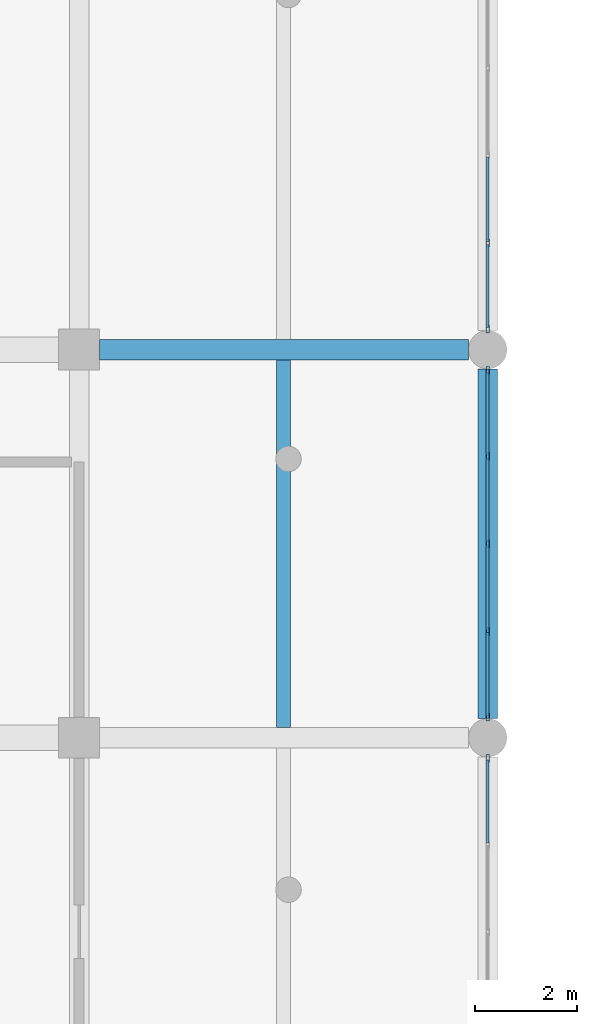
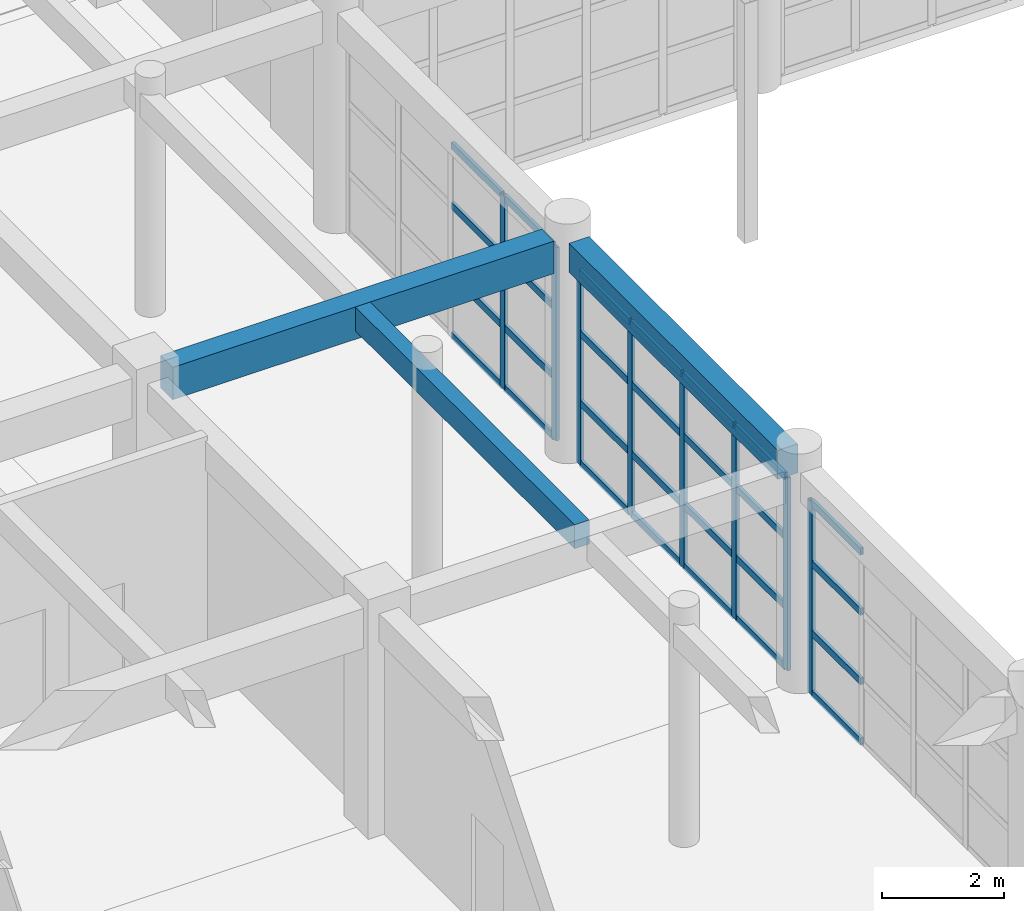
# One storey, part 30 of 101: 36 members, 3 beams, 3 elements without a shape of their own.
"""IFC4 building model written with IfcOpenShell, lengths in metres."""

from ifc_helpers import new_model, si_unit, direction, frame, origin, origin_2d, place, context, subcontext, project, spatial, rectangle, hollow_rectangle, extrude, material, material_profile, profile_set, type_object, element, aggregate, save


model = new_model("IFC4")

# Units and contexts
model_context = context("Model", 3, precision=1e-05, world=origin(), true_north=direction((0.0, 1.0)))
body_context = subcontext(model_context, "Body", "Model", "MODEL_VIEW")
ifc_project = project(units=[si_unit("LENGTHUNIT", "METRE"), si_unit("AREAUNIT", "SQUARE_METRE"), si_unit("VOLUMEUNIT", "CUBIC_METRE"), si_unit("PLANEANGLEUNIT", "RADIAN"), si_unit("MASSUNIT", "GRAM", prefix="KILO")], contexts=[model_context])

# Site, building, storey
site_placement = place(None, origin())
site = spatial("IfcSite", under=ifc_project, at=site_placement, CompositionType="ELEMENT")
building_placement = place(site_placement, origin())
building = spatial("IfcBuilding", under=site, at=building_placement, Name="Zantavel Square City Hall", CompositionType="ELEMENT")
storey_placement = place(building_placement, frame((0.0, 0.0, 5.39990234375)))
storey = spatial("IfcBuildingStorey", under=building, at=storey_placement, Name="L02", CompositionType="ELEMENT", Elevation=5.39990234375)

# Beam
ifc_material_1 = material(Name="Concrete C35/45", Category="concrete")
ifc_material_profile_1 = material_profile(ifc_material_1, rectangle(XDim=0.3798828125, YDim=0.580078125, at=origin_2d()), Name="RC 380x580")
ifc_profile_set_1 = profile_set([ifc_material_profile_1], Name="Concrete C35/45")
beam_type_1 = type_object("IfcBeamType", Name="Annex Secondary Beam RC 380x580 C35/45", PredefinedType="BEAM", material=ifc_profile_set_1)
beam_1_placement = place(storey_placement, frame((120.0, 53.574951171875, 4.16015625), z_axis=(0.0, 1.0, 0.0), x_axis=(-1.0, 0.0, 0.0)))
element("IfcBeam", 1, at=beam_1_placement, inside=storey, type_object=beam_type_1, Name="L02 Beam BMY-L02-1200-0532", PredefinedType="BEAM", context=body_context, shape_type="SweptSolid", body=[
    extrude(rectangle(XDim=0.3798828125, YDim=0.580078125, at=origin_2d()), origin(), (0.0, 0.0, 1.0), 6.85009765625),
])

# Curtain wall, members
ifc_material_2 = material(Name="Anodised aluminium 6063-T6", Category="aluminium")
curtain_wall_type = type_object("IfcCurtainWallType", Name="Curtain Wall CRT 6850x3870", PredefinedType="USERDEFINED", material=ifc_material_2)
curtain_wall_1_placement = place(storey_placement, origin())
curtain_wall_1 = element("IfcCurtainWall", 2, at=curtain_wall_1_placement, inside=storey, type_object=curtain_wall_type, Name="L02 Glazed Curtain Wall CW-L02-063", ObjectType="GLAZED CURTAIN WALL", PredefinedType="USERDEFINED")
ifc_material_profile_2 = material_profile(ifc_material_2, hollow_rectangle(XDim=0.06494140625, YDim=0.14990234375, WallThickness=0.00390625, at=origin_2d()), Name="ALU 65x150x4")
ifc_profile_set_2 = profile_set([ifc_material_profile_2], Name="Anodised aluminium 6063-T6")
member_type_1 = type_object("IfcMemberType", Name="CW Mullion ALU 65x150x4", PredefinedType="MULLION", material=ifc_profile_set_2)
member_1_placement = place(storey_placement, frame((120.0, 62.887451171875, 0.0), z_axis=(0.0, 0.0, 1.0), x_axis=(1.0, 0.0, 0.0)))
member_1 = element("IfcMember", 3, at=member_1_placement, type_object=member_type_1, Name="CW-063 mullion 4", PredefinedType="MULLION", context=body_context, shape_type="SweptSolid", body=[
    extrude(hollow_rectangle(XDim=0.06494140625, YDim=0.14990234375, WallThickness=0.00390625, at=origin_2d()), origin(), (0.0, 0.0, 1.0), 3.8701171875),
])
member_2_placement = place(storey_placement, frame((120.0, 61.205078125, 0.0), z_axis=(0.0, 0.0, 1.0), x_axis=(1.0, 0.0, 0.0)))
member_2 = element("IfcMember", 4, at=member_2_placement, type_object=member_type_1, Name="CW-063 mullion 5", PredefinedType="MULLION", context=body_context, shape_type="SweptSolid", body=[
    extrude(hollow_rectangle(XDim=0.06494140625, YDim=0.14990234375, WallThickness=0.00390625, at=origin_2d()), origin(), (0.0, 0.0, 1.0), 3.8701171875),
])

curtain_wall_2_placement = place(storey_placement, origin())
curtain_wall_2 = element("IfcCurtainWall", 5, at=curtain_wall_2_placement, inside=storey, type_object=curtain_wall_type, Name="L02 Glazed Curtain Wall CW-L02-064", ObjectType="GLAZED CURTAIN WALL", PredefinedType="USERDEFINED")
member_3_placement = place(storey_placement, frame((120.0, 60.39501953125, 0.0), z_axis=(0.0, 0.0, 1.0), x_axis=(1.0, 0.0, 0.0)))
member_3 = element("IfcMember", 6, at=member_3_placement, type_object=member_type_1, Name="CW-064 mullion 1", PredefinedType="MULLION", context=body_context, shape_type="SweptSolid", body=[
    extrude(hollow_rectangle(XDim=0.06494140625, YDim=0.14990234375, WallThickness=0.00390625, at=origin_2d()), origin(), (0.0, 0.0, 1.0), 3.8701171875),
])
member_4_placement = place(storey_placement, frame((120.0, 58.71240234375, 0.0), z_axis=(0.0, 0.0, 1.0), x_axis=(1.0, 0.0, 0.0)))
member_4 = element("IfcMember", 7, at=member_4_placement, type_object=member_type_1, Name="CW-064 mullion 2", PredefinedType="MULLION", context=body_context, shape_type="SweptSolid", body=[
    extrude(hollow_rectangle(XDim=0.06494140625, YDim=0.14990234375, WallThickness=0.00390625, at=origin_2d()), origin(), (0.0, 0.0, 1.0), 3.8701171875),
])
member_5_placement = place(storey_placement, frame((120.0, 57.0, 0.0), z_axis=(0.0, 0.0, 1.0), x_axis=(1.0, 0.0, 0.0)))
member_5 = element("IfcMember", 8, at=member_5_placement, type_object=member_type_1, Name="CW-064 mullion 3", PredefinedType="MULLION", context=body_context, shape_type="SweptSolid", body=[
    extrude(hollow_rectangle(XDim=0.06494140625, YDim=0.14990234375, WallThickness=0.00390625, at=origin_2d()), origin(), (0.0, 0.0, 1.0), 3.8701171875),
])
member_6_placement = place(storey_placement, frame((120.0, 55.28759765625, 0.0), z_axis=(0.0, 0.0, 1.0), x_axis=(1.0, 0.0, 0.0)))
member_6 = element("IfcMember", 9, at=member_6_placement, type_object=member_type_1, Name="CW-064 mullion 4", PredefinedType="MULLION", context=body_context, shape_type="SweptSolid", body=[
    extrude(hollow_rectangle(XDim=0.06494140625, YDim=0.14990234375, WallThickness=0.00390625, at=origin_2d()), origin(), (0.0, 0.0, 1.0), 3.8701171875),
])
member_7_placement = place(storey_placement, frame((120.0, 53.60498046875, 0.0), z_axis=(0.0, 0.0, 1.0), x_axis=(1.0, 0.0, 0.0)))
member_7 = element("IfcMember", 10, at=member_7_placement, type_object=member_type_1, Name="CW-064 mullion 5", PredefinedType="MULLION", context=body_context, shape_type="SweptSolid", body=[
    extrude(hollow_rectangle(XDim=0.06494140625, YDim=0.14990234375, WallThickness=0.00390625, at=origin_2d()), origin(), (0.0, 0.0, 1.0), 3.8701171875),
])

# Curtain wall, member
curtain_wall_3_placement = place(storey_placement, origin())
curtain_wall_3 = element("IfcCurtainWall", 11, at=curtain_wall_3_placement, inside=storey, type_object=curtain_wall_type, Name="L02 Glazed Curtain Wall CW-L02-065", ObjectType="GLAZED CURTAIN WALL", PredefinedType="USERDEFINED")
member_8_placement = place(storey_placement, frame((120.0, 52.794921875, 0.0), z_axis=(0.0, 0.0, 1.0), x_axis=(1.0, 0.0, 0.0)))
member_8 = element("IfcMember", 12, at=member_8_placement, type_object=member_type_1, Name="CW-065 mullion 1", PredefinedType="MULLION", context=body_context, shape_type="SweptSolid", body=[
    extrude(hollow_rectangle(XDim=0.06494140625, YDim=0.14990234375, WallThickness=0.00390625, at=origin_2d()), origin(), (0.0, 0.0, 1.0), 3.8701171875),
])

# Member
ifc_material_profile_3 = material_profile(ifc_material_2, hollow_rectangle(XDim=0.06005859375, YDim=0.139892578125, WallThickness=0.00390625, at=origin_2d()), Name="ALU 60x140x4")
ifc_profile_set_3 = profile_set([ifc_material_profile_3], Name="Anodised aluminium 6063-T6")
member_type_2 = type_object("IfcMemberType", Name="CW Transom ALU 60x140x4", PredefinedType="USERDEFINED", material=ifc_profile_set_3)
member_9_placement = place(storey_placement, frame((120.0, 64.570068359375, 0.030029296875), z_axis=(0.0, -1.0, 0.0), x_axis=(1.0, 0.0, 0.0)))
member_9 = element("IfcMember", 13, at=member_9_placement, type_object=member_type_2, Name="CW-063 transom 3.1", ObjectType="TRANSOM", PredefinedType="USERDEFINED", context=body_context, shape_type="SweptSolid", body=[
    extrude(hollow_rectangle(XDim=0.06005859375, YDim=0.139892578125, WallThickness=0.00390625, at=origin_2d()), origin(), (0.0, 0.0, 1.0), 1.652587890625),
])

member_10_placement = place(storey_placement, frame((120.0, 64.570068359375, 1.238037109375), z_axis=(0.0, -1.0, 0.0), x_axis=(1.0, 0.0, 0.0)))
member_10 = element("IfcMember", 14, at=member_10_placement, type_object=member_type_2, Name="CW-063 transom 3.2", ObjectType="TRANSOM", PredefinedType="USERDEFINED", context=body_context, shape_type="SweptSolid", body=[
    extrude(hollow_rectangle(XDim=0.06005859375, YDim=0.139892578125, WallThickness=0.00390625, at=origin_2d()), origin(), (0.0, 0.0, 1.0), 1.652587890625),
])

member_11_placement = place(storey_placement, frame((120.0, 64.570068359375, 2.632080078125), z_axis=(0.0, -1.0, 0.0), x_axis=(1.0, 0.0, 0.0)))
member_11 = element("IfcMember", 15, at=member_11_placement, type_object=member_type_2, Name="CW-063 transom 3.3", ObjectType="TRANSOM", PredefinedType="USERDEFINED", context=body_context, shape_type="SweptSolid", body=[
    extrude(hollow_rectangle(XDim=0.06005859375, YDim=0.139892578125, WallThickness=0.00390625, at=origin_2d()), origin(), (0.0, 0.0, 1.0), 1.652587890625),
])

member_12_placement = place(storey_placement, frame((120.0, 64.570068359375, 3.840087890625), z_axis=(0.0, -1.0, 0.0), x_axis=(1.0, 0.0, 0.0)))
member_12 = element("IfcMember", 16, at=member_12_placement, type_object=member_type_2, Name="CW-063 transom 3.4", ObjectType="TRANSOM", PredefinedType="USERDEFINED", context=body_context, shape_type="SweptSolid", body=[
    extrude(hollow_rectangle(XDim=0.06005859375, YDim=0.139892578125, WallThickness=0.00390625, at=origin_2d()), origin(), (0.0, 0.0, 1.0), 1.652587890625),
])

member_13_placement = place(storey_placement, frame((120.0, 62.857421875, 0.030029296875), z_axis=(0.0, -1.0, 0.0), x_axis=(1.0, 0.0, 0.0)))
member_13 = element("IfcMember", 17, at=member_13_placement, type_object=member_type_2, Name="CW-063 transom 4.1", ObjectType="TRANSOM", PredefinedType="USERDEFINED", context=body_context, shape_type="SweptSolid", body=[
    extrude(hollow_rectangle(XDim=0.06005859375, YDim=0.139892578125, WallThickness=0.00390625, at=origin_2d()), origin(), (0.0, 0.0, 1.0), 1.622314453125),
])

member_14_placement = place(storey_placement, frame((120.0, 62.857421875, 1.238037109375), z_axis=(0.0, -1.0, 0.0), x_axis=(1.0, 0.0, 0.0)))
member_14 = element("IfcMember", 18, at=member_14_placement, type_object=member_type_2, Name="CW-063 transom 4.2", ObjectType="TRANSOM", PredefinedType="USERDEFINED", context=body_context, shape_type="SweptSolid", body=[
    extrude(hollow_rectangle(XDim=0.06005859375, YDim=0.139892578125, WallThickness=0.00390625, at=origin_2d()), origin(), (0.0, 0.0, 1.0), 1.622314453125),
])

member_15_placement = place(storey_placement, frame((120.0, 62.857421875, 2.632080078125), z_axis=(0.0, -1.0, 0.0), x_axis=(1.0, 0.0, 0.0)))
member_15 = element("IfcMember", 19, at=member_15_placement, type_object=member_type_2, Name="CW-063 transom 4.3", ObjectType="TRANSOM", PredefinedType="USERDEFINED", context=body_context, shape_type="SweptSolid", body=[
    extrude(hollow_rectangle(XDim=0.06005859375, YDim=0.139892578125, WallThickness=0.00390625, at=origin_2d()), origin(), (0.0, 0.0, 1.0), 1.622314453125),
])

member_16_placement = place(storey_placement, frame((120.0, 62.857421875, 3.840087890625), z_axis=(0.0, -1.0, 0.0), x_axis=(1.0, 0.0, 0.0)))
member_16 = element("IfcMember", 20, at=member_16_placement, type_object=member_type_2, Name="CW-063 transom 4.4", ObjectType="TRANSOM", PredefinedType="USERDEFINED", context=body_context, shape_type="SweptSolid", body=[
    extrude(hollow_rectangle(XDim=0.06005859375, YDim=0.139892578125, WallThickness=0.00390625, at=origin_2d()), origin(), (0.0, 0.0, 1.0), 1.622314453125),
])

aggregate(curtain_wall_1, [member_1, member_2, member_9, member_10, member_11, member_12, member_13, member_14, member_15, member_16])

member_17_placement = place(storey_placement, frame((120.0, 60.364990234375, 0.030029296875), z_axis=(0.0, -1.0, 0.0), x_axis=(1.0, 0.0, 0.0)))
member_17 = element("IfcMember", 21, at=member_17_placement, type_object=member_type_2, Name="CW-064 transom 1.1", ObjectType="TRANSOM", PredefinedType="USERDEFINED", context=body_context, shape_type="SweptSolid", body=[
    extrude(hollow_rectangle(XDim=0.06005859375, YDim=0.139892578125, WallThickness=0.00390625, at=origin_2d()), origin(), (0.0, 0.0, 1.0), 1.62255859375),
])

member_18_placement = place(storey_placement, frame((120.0, 60.364990234375, 1.238037109375), z_axis=(0.0, -1.0, 0.0), x_axis=(1.0, 0.0, 0.0)))
member_18 = element("IfcMember", 22, at=member_18_placement, type_object=member_type_2, Name="CW-064 transom 1.2", ObjectType="TRANSOM", PredefinedType="USERDEFINED", context=body_context, shape_type="SweptSolid", body=[
    extrude(hollow_rectangle(XDim=0.06005859375, YDim=0.139892578125, WallThickness=0.00390625, at=origin_2d()), origin(), (0.0, 0.0, 1.0), 1.62255859375),
])

member_19_placement = place(storey_placement, frame((120.0, 60.364990234375, 2.632080078125), z_axis=(0.0, -1.0, 0.0), x_axis=(1.0, 0.0, 0.0)))
member_19 = element("IfcMember", 23, at=member_19_placement, type_object=member_type_2, Name="CW-064 transom 1.3", ObjectType="TRANSOM", PredefinedType="USERDEFINED", context=body_context, shape_type="SweptSolid", body=[
    extrude(hollow_rectangle(XDim=0.06005859375, YDim=0.139892578125, WallThickness=0.00390625, at=origin_2d()), origin(), (0.0, 0.0, 1.0), 1.62255859375),
])

member_20_placement = place(storey_placement, frame((120.0, 60.364990234375, 3.840087890625), z_axis=(0.0, -1.0, 0.0), x_axis=(1.0, 0.0, 0.0)))
member_20 = element("IfcMember", 24, at=member_20_placement, type_object=member_type_2, Name="CW-064 transom 1.4", ObjectType="TRANSOM", PredefinedType="USERDEFINED", context=body_context, shape_type="SweptSolid", body=[
    extrude(hollow_rectangle(XDim=0.06005859375, YDim=0.139892578125, WallThickness=0.00390625, at=origin_2d()), origin(), (0.0, 0.0, 1.0), 1.62255859375),
])

member_21_placement = place(storey_placement, frame((120.0, 58.6826171875, 0.030029296875), z_axis=(0.0, -1.0, 0.0), x_axis=(1.0, 0.0, 0.0)))
member_21 = element("IfcMember", 25, at=member_21_placement, type_object=member_type_2, Name="CW-064 transom 2.1", ObjectType="TRANSOM", PredefinedType="USERDEFINED", context=body_context, shape_type="SweptSolid", body=[
    extrude(hollow_rectangle(XDim=0.06005859375, YDim=0.139892578125, WallThickness=0.00390625, at=origin_2d()), origin(), (0.0, 0.0, 1.0), 1.652587890625),
])

member_22_placement = place(storey_placement, frame((120.0, 58.6826171875, 1.238037109375), z_axis=(0.0, -1.0, 0.0), x_axis=(1.0, 0.0, 0.0)))
member_22 = element("IfcMember", 26, at=member_22_placement, type_object=member_type_2, Name="CW-064 transom 2.2", ObjectType="TRANSOM", PredefinedType="USERDEFINED", context=body_context, shape_type="SweptSolid", body=[
    extrude(hollow_rectangle(XDim=0.06005859375, YDim=0.139892578125, WallThickness=0.00390625, at=origin_2d()), origin(), (0.0, 0.0, 1.0), 1.652587890625),
])

member_23_placement = place(storey_placement, frame((120.0, 58.6826171875, 2.632080078125), z_axis=(0.0, -1.0, 0.0), x_axis=(1.0, 0.0, 0.0)))
member_23 = element("IfcMember", 27, at=member_23_placement, type_object=member_type_2, Name="CW-064 transom 2.3", ObjectType="TRANSOM", PredefinedType="USERDEFINED", context=body_context, shape_type="SweptSolid", body=[
    extrude(hollow_rectangle(XDim=0.06005859375, YDim=0.139892578125, WallThickness=0.00390625, at=origin_2d()), origin(), (0.0, 0.0, 1.0), 1.652587890625),
])

member_24_placement = place(storey_placement, frame((120.0, 58.6826171875, 3.840087890625), z_axis=(0.0, -1.0, 0.0), x_axis=(1.0, 0.0, 0.0)))
member_24 = element("IfcMember", 28, at=member_24_placement, type_object=member_type_2, Name="CW-064 transom 2.4", ObjectType="TRANSOM", PredefinedType="USERDEFINED", context=body_context, shape_type="SweptSolid", body=[
    extrude(hollow_rectangle(XDim=0.06005859375, YDim=0.139892578125, WallThickness=0.00390625, at=origin_2d()), origin(), (0.0, 0.0, 1.0), 1.652587890625),
])

member_25_placement = place(storey_placement, frame((120.0, 56.969970703125, 0.030029296875), z_axis=(0.0, -1.0, 0.0), x_axis=(1.0, 0.0, 0.0)))
member_25 = element("IfcMember", 29, at=member_25_placement, type_object=member_type_2, Name="CW-064 transom 3.1", ObjectType="TRANSOM", PredefinedType="USERDEFINED", context=body_context, shape_type="SweptSolid", body=[
    extrude(hollow_rectangle(XDim=0.06005859375, YDim=0.139892578125, WallThickness=0.00390625, at=origin_2d()), origin(), (0.0, 0.0, 1.0), 1.652587890625),
])

member_26_placement = place(storey_placement, frame((120.0, 56.969970703125, 1.238037109375), z_axis=(0.0, -1.0, 0.0), x_axis=(1.0, 0.0, 0.0)))
member_26 = element("IfcMember", 30, at=member_26_placement, type_object=member_type_2, Name="CW-064 transom 3.2", ObjectType="TRANSOM", PredefinedType="USERDEFINED", context=body_context, shape_type="SweptSolid", body=[
    extrude(hollow_rectangle(XDim=0.06005859375, YDim=0.139892578125, WallThickness=0.00390625, at=origin_2d()), origin(), (0.0, 0.0, 1.0), 1.652587890625),
])

member_27_placement = place(storey_placement, frame((120.0, 56.969970703125, 2.632080078125), z_axis=(0.0, -1.0, 0.0), x_axis=(1.0, 0.0, 0.0)))
member_27 = element("IfcMember", 31, at=member_27_placement, type_object=member_type_2, Name="CW-064 transom 3.3", ObjectType="TRANSOM", PredefinedType="USERDEFINED", context=body_context, shape_type="SweptSolid", body=[
    extrude(hollow_rectangle(XDim=0.06005859375, YDim=0.139892578125, WallThickness=0.00390625, at=origin_2d()), origin(), (0.0, 0.0, 1.0), 1.652587890625),
])

member_28_placement = place(storey_placement, frame((120.0, 56.969970703125, 3.840087890625), z_axis=(0.0, -1.0, 0.0), x_axis=(1.0, 0.0, 0.0)))
member_28 = element("IfcMember", 32, at=member_28_placement, type_object=member_type_2, Name="CW-064 transom 3.4", ObjectType="TRANSOM", PredefinedType="USERDEFINED", context=body_context, shape_type="SweptSolid", body=[
    extrude(hollow_rectangle(XDim=0.06005859375, YDim=0.139892578125, WallThickness=0.00390625, at=origin_2d()), origin(), (0.0, 0.0, 1.0), 1.652587890625),
])

member_29_placement = place(storey_placement, frame((120.0, 55.257568359375, 0.030029296875), z_axis=(0.0, -1.0, 0.0), x_axis=(1.0, 0.0, 0.0)))
member_29 = element("IfcMember", 33, at=member_29_placement, type_object=member_type_2, Name="CW-064 transom 4.1", ObjectType="TRANSOM", PredefinedType="USERDEFINED", context=body_context, shape_type="SweptSolid", body=[
    extrude(hollow_rectangle(XDim=0.06005859375, YDim=0.139892578125, WallThickness=0.00390625, at=origin_2d()), origin(), (0.0, 0.0, 1.0), 1.62255859375),
])

member_30_placement = place(storey_placement, frame((120.0, 55.257568359375, 1.238037109375), z_axis=(0.0, -1.0, 0.0), x_axis=(1.0, 0.0, 0.0)))
member_30 = element("IfcMember", 34, at=member_30_placement, type_object=member_type_2, Name="CW-064 transom 4.2", ObjectType="TRANSOM", PredefinedType="USERDEFINED", context=body_context, shape_type="SweptSolid", body=[
    extrude(hollow_rectangle(XDim=0.06005859375, YDim=0.139892578125, WallThickness=0.00390625, at=origin_2d()), origin(), (0.0, 0.0, 1.0), 1.62255859375),
])

member_31_placement = place(storey_placement, frame((120.0, 55.257568359375, 2.632080078125), z_axis=(0.0, -1.0, 0.0), x_axis=(1.0, 0.0, 0.0)))
member_31 = element("IfcMember", 35, at=member_31_placement, type_object=member_type_2, Name="CW-064 transom 4.3", ObjectType="TRANSOM", PredefinedType="USERDEFINED", context=body_context, shape_type="SweptSolid", body=[
    extrude(hollow_rectangle(XDim=0.06005859375, YDim=0.139892578125, WallThickness=0.00390625, at=origin_2d()), origin(), (0.0, 0.0, 1.0), 1.62255859375),
])

member_32_placement = place(storey_placement, frame((120.0, 55.257568359375, 3.840087890625), z_axis=(0.0, -1.0, 0.0), x_axis=(1.0, 0.0, 0.0)))
member_32 = element("IfcMember", 36, at=member_32_placement, type_object=member_type_2, Name="CW-064 transom 4.4", ObjectType="TRANSOM", PredefinedType="USERDEFINED", context=body_context, shape_type="SweptSolid", body=[
    extrude(hollow_rectangle(XDim=0.06005859375, YDim=0.139892578125, WallThickness=0.00390625, at=origin_2d()), origin(), (0.0, 0.0, 1.0), 1.62255859375),
])

aggregate(curtain_wall_2, [member_3, member_4, member_5, member_6, member_7, member_17, member_18, member_19, member_20, member_21, member_22, member_23, member_24, member_25, member_26, member_27, member_28, member_29, member_30, member_31, member_32])

member_33_placement = place(storey_placement, frame((120.0, 52.764892578125, 0.030029296875), z_axis=(0.0, -1.0, 0.0), x_axis=(1.0, 0.0, 0.0)))
member_33 = element("IfcMember", 37, at=member_33_placement, type_object=member_type_2, Name="CW-065 transom 1.1", ObjectType="TRANSOM", PredefinedType="USERDEFINED", context=body_context, shape_type="SweptSolid", body=[
    extrude(hollow_rectangle(XDim=0.06005859375, YDim=0.139892578125, WallThickness=0.00390625, at=origin_2d()), origin(), (0.0, 0.0, 1.0), 1.622314453125),
])

member_34_placement = place(storey_placement, frame((120.0, 52.764892578125, 1.238037109375), z_axis=(0.0, -1.0, 0.0), x_axis=(1.0, 0.0, 0.0)))
member_34 = element("IfcMember", 38, at=member_34_placement, type_object=member_type_2, Name="CW-065 transom 1.2", ObjectType="TRANSOM", PredefinedType="USERDEFINED", context=body_context, shape_type="SweptSolid", body=[
    extrude(hollow_rectangle(XDim=0.06005859375, YDim=0.139892578125, WallThickness=0.00390625, at=origin_2d()), origin(), (0.0, 0.0, 1.0), 1.622314453125),
])

member_35_placement = place(storey_placement, frame((120.0, 52.764892578125, 2.632080078125), z_axis=(0.0, -1.0, 0.0), x_axis=(1.0, 0.0, 0.0)))
member_35 = element("IfcMember", 39, at=member_35_placement, type_object=member_type_2, Name="CW-065 transom 1.3", ObjectType="TRANSOM", PredefinedType="USERDEFINED", context=body_context, shape_type="SweptSolid", body=[
    extrude(hollow_rectangle(XDim=0.06005859375, YDim=0.139892578125, WallThickness=0.00390625, at=origin_2d()), origin(), (0.0, 0.0, 1.0), 1.622314453125),
])

member_36_placement = place(storey_placement, frame((120.0, 52.764892578125, 3.840087890625), z_axis=(0.0, -1.0, 0.0), x_axis=(1.0, 0.0, 0.0)))
member_36 = element("IfcMember", 40, at=member_36_placement, type_object=member_type_2, Name="CW-065 transom 1.4", ObjectType="TRANSOM", PredefinedType="USERDEFINED", context=body_context, shape_type="SweptSolid", body=[
    extrude(hollow_rectangle(XDim=0.06005859375, YDim=0.139892578125, WallThickness=0.00390625, at=origin_2d()), origin(), (0.0, 0.0, 1.0), 1.622314453125),
])

aggregate(curtain_wall_3, [member_8, member_33, member_34, member_35, member_36])

# Beams
ifc_material_profile_4 = material_profile(ifc_material_1, rectangle(XDim=0.39990234375, YDim=0.64990234375, at=origin_2d()), Name="RC 400x650")
ifc_profile_set_4 = profile_set([ifc_material_profile_4], Name="Concrete C35/45")
beam_type_2 = type_object("IfcBeamType", Name="Frame Beam RC 400x650 C35/45", PredefinedType="BEAM", material=ifc_profile_set_4)
beam_2_placement = place(storey_placement, frame((112.39990234375, 60.800048828125, 4.125), z_axis=(1.0, 0.0, 0.0), x_axis=(0.0, 1.0, 0.0)))
element("IfcBeam", 41, at=beam_2_placement, inside=storey, type_object=beam_type_2, Name="L02 Girder BMX-L02-1120-0608", PredefinedType="BEAM", context=body_context, shape_type="SweptSolid", body=[
    extrude(rectangle(XDim=0.39990234375, YDim=0.64990234375, at=origin_2d()), origin(), (0.0, 0.0, 1.0), 7.22509765625),
])
ifc_material_profile_5 = material_profile(ifc_material_1, rectangle(XDim=0.280029296875, YDim=0.47998046875, at=origin_2d()), Name="RC 280x480")
ifc_profile_set_5 = profile_set([ifc_material_profile_5], Name="Concrete C35/45")
beam_type_3 = type_object("IfcBeamType", Name="Terrace Deck Joist RC 280x480 C35/45", PredefinedType="JOIST", material=ifc_profile_set_5)
beam_3_placement = place(storey_placement, frame((116.0, 53.39990234375, 4.210205078125), z_axis=(0.0, 1.0, 0.0), x_axis=(-1.0, 0.0, 0.0)))
element("IfcBeam", 42, at=beam_3_placement, inside=storey, type_object=beam_type_3, Name="L02 Floor Joist JST-L02-1160-0532", PredefinedType="JOIST", context=body_context, shape_type="SweptSolid", body=[
    extrude(rectangle(XDim=0.280029296875, YDim=0.47998046875, at=origin_2d()), origin(), (0.0, 0.0, 1.0), 7.2001953125),
])

save(model, "model.ifc")
